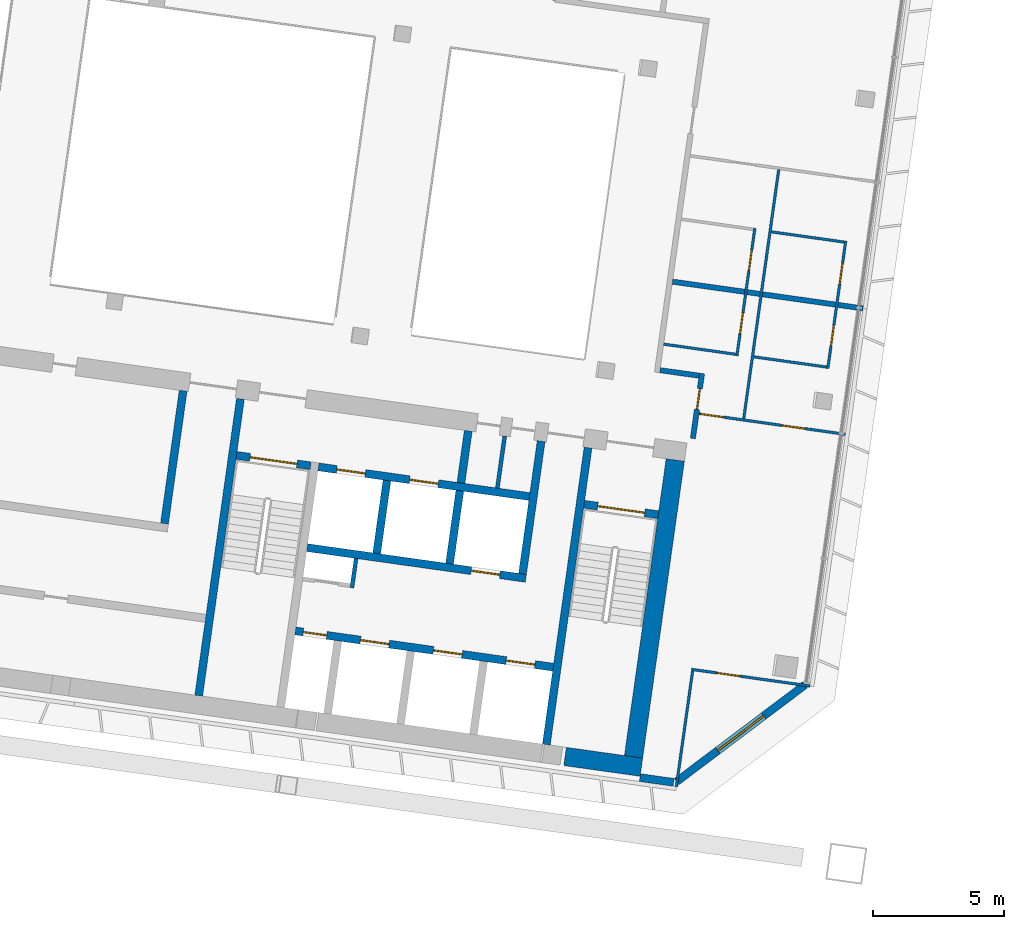
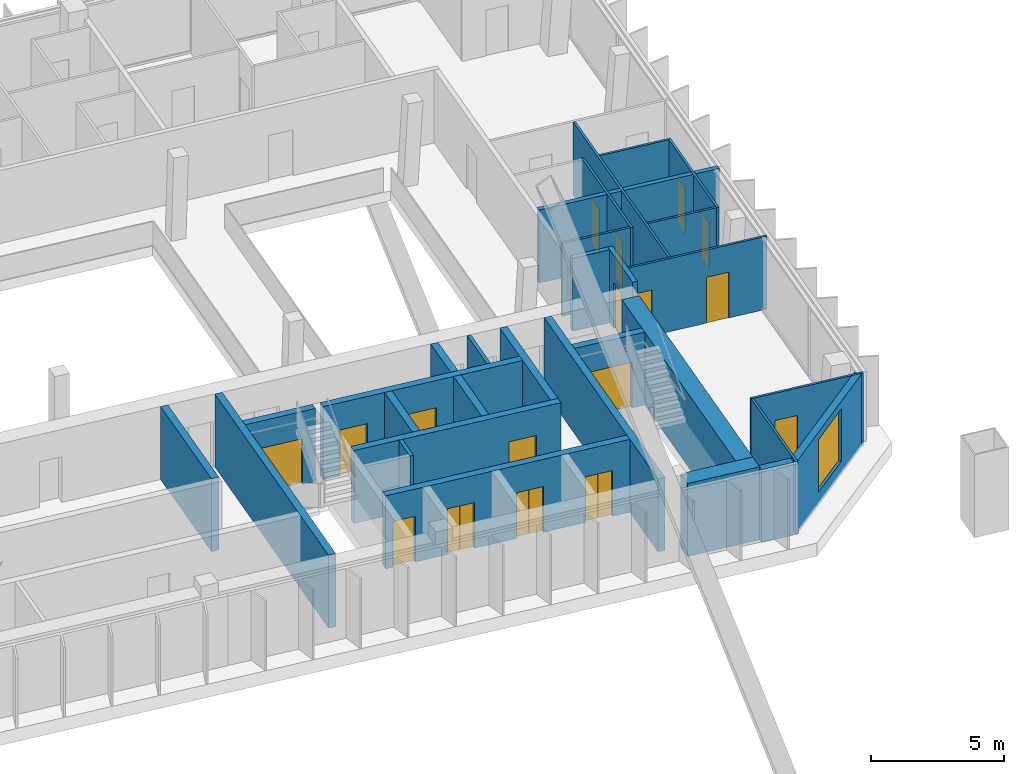
# One storey, part 25 of 38: 30 walls, 17 doors, 1 window, 18 openings.
"""IFC4 building model written with IfcOpenShell, lengths in metres."""

import ifcopenshell
import ifcopenshell.guid

model = None  # the IFC model being written
_history = None  # IfcOwnerHistory: only IFC2X3 demands one
_inside = {}  # id of a spatial element -> (the spatial element, [elements in it])
_under = {}  # id of a project, library or spatial element -> (it, [spatial elements below it])
_declared = {}  # id of a project -> (the project, [libraries it declares])
_typed = {}  # id of a type object -> (the type object, [elements of that type])
_made_of = {}  # id of a material, layer set ... -> (it, [elements and type objects made of it])


def new_model(schema):
    """Start an empty IFC model of exactly this schema.

    Asked for "IFC4X3", IfcOpenShell would pick the latest addendum, in which some entities
    have other attributes; the version numbers below select the first issue.
    IFC2X3 requires an IfcOwnerHistory on every rooted entity: one is made here for all.
    """
    global model, _history
    if schema == "IFC4X3":
        model = ifcopenshell.file(schema_version=(4, 3, 0, 0))
    else:
        model = ifcopenshell.file(schema=schema)
    _inside.clear()
    _under.clear()
    _declared.clear()
    _typed.clear()
    _made_of.clear()
    _history = None
    if model.schema == "IFC2X3":
        org = make("IfcOrganization", Name="unknown")
        user = make(
            "IfcPersonAndOrganization",
            ThePerson=make("IfcPerson", FamilyName="unknown"),
            TheOrganization=org,
        )
        app = make(
            "IfcApplication",
            ApplicationDeveloper=org,
            Version="unknown",
            ApplicationFullName="unknown",
            ApplicationIdentifier="unknown",
        )
        _history = make(
            "IfcOwnerHistory",
            OwningUser=user,
            OwningApplication=app,
            ChangeAction="ADDED",
            CreationDate=0,
        )
    return model


def make(cls, **values):
    """One entity of the class cls with the attributes given. An attribute that is None is left unset."""
    return model.create_entity(
        cls, **{name: value for name, value in values.items() if value is not None}
    )


def rooted(cls, **values):
    """An entity with a GlobalId (a new one), such as an element, a storey or a relation."""
    return make(cls, GlobalId=ifcopenshell.guid.new(), OwnerHistory=_history, **values)


def si_unit(unit_type, name, prefix=None):
    """IfcSIUnit, for example si_unit("LENGTHUNIT", "METRE", prefix="MILLI")."""
    return make("IfcSIUnit", UnitType=unit_type, Prefix=prefix, Name=name)


def assignment(units):
    """IfcUnitAssignment: the units of a project."""
    return None if units is None else make("IfcUnitAssignment", Units=units)


def point(xyz):
    """IfcCartesianPoint."""
    return None if xyz is None else make("IfcCartesianPoint", Coordinates=xyz)


def direction(xyz):
    """IfcDirection."""
    return None if xyz is None else make("IfcDirection", DirectionRatios=xyz)


def frame(location, z_axis=None, x_axis=None):
    """IfcAxis2Placement3D, a coordinate frame: its origin and axes. An axis left out is left unset."""
    return make(
        "IfcAxis2Placement3D",
        Location=point(location),
        Axis=direction(z_axis),
        RefDirection=direction(x_axis),
    )


def frame_2d(location, x_axis=None):
    """IfcAxis2Placement2D, a coordinate frame in the plane: its origin and x axis."""
    return make(
        "IfcAxis2Placement2D", Location=point(location), RefDirection=direction(x_axis)
    )


def origin():
    """The frame at (0, 0, 0) with its axes left unset."""
    return frame((0.0, 0.0, 0.0))


def place(relative_to, where):
    """IfcLocalPlacement: puts the frame where relative to a parent placement (None: the world)."""
    return make(
        "IfcLocalPlacement", PlacementRelTo=relative_to, RelativePlacement=where
    )


def context(
    kind, dimensions, precision=None, world=None, true_north=None, identifier=None
):
    """IfcGeometricRepresentationContext, for example the 3D "Model" context."""
    return make(
        "IfcGeometricRepresentationContext",
        ContextIdentifier=identifier,
        ContextType=kind,
        CoordinateSpaceDimension=dimensions,
        Precision=precision,
        WorldCoordinateSystem=world,
        TrueNorth=true_north,
    )


def subcontext(parent, identifier, kind, view, scale=None):
    """IfcGeometricRepresentationSubContext, for example "Body" below "Model"."""
    return make(
        "IfcGeometricRepresentationSubContext",
        ContextIdentifier=identifier,
        ContextType=kind,
        ParentContext=parent,
        TargetScale=scale,
        TargetView=view,
    )


def project(units=None, contexts=None):
    """IfcProject with its units and contexts."""
    return rooted(
        "IfcProject",
        Name="project",
        RepresentationContexts=contexts,
        UnitsInContext=assignment(units),
    )


def spatial(cls, under=None, at=None, **own):
    """A site, building, storey or space (cls), placed at a placement, below another one or the project."""
    s = rooted(cls, ObjectPlacement=at, **own)
    if under is not None:
        _under.setdefault(under.id(), (under, []))[1].append(s)
    return s


def profile(cls, at=None, kind="AREA", **sizes):
    """A parametric profile (cls). Its sizes go by their IFC names, for example OverallWidth=200.0."""
    return make(cls, ProfileType=kind, Position=at, **sizes)


def rectangle(**sizes):
    """IfcRectangleProfileDef."""
    return profile("IfcRectangleProfileDef", **sizes)


def extrude(swept, where, along, depth):
    """IfcExtrudedAreaSolid: the profile swept, set in the frame where, extruded along a direction by depth."""
    return make(
        "IfcExtrudedAreaSolid",
        SweptArea=swept,
        Position=where,
        ExtrudedDirection=direction(along),
        Depth=depth,
    )


def shape(context_of_items, identifier, shape_type, items):
    """IfcShapeRepresentation: the items that make up one representation, for example the "Body"."""
    return make(
        "IfcShapeRepresentation",
        ContextOfItems=context_of_items,
        RepresentationIdentifier=identifier,
        RepresentationType=shape_type,
        Items=items,
    )


def material(Name=None, Category=None):
    """IfcMaterial."""
    return make("IfcMaterial", Name=Name, Category=Category)


def layer(
    of_material, thickness, ventilated=None, Name=None, Category=None, Priority=None
):
    """IfcMaterialLayer: one layer of a wall or slab, of a material (None: an air gap)."""
    return make(
        "IfcMaterialLayer",
        Material=of_material,
        LayerThickness=thickness,
        IsVentilated=ventilated,
        Name=Name,
        Category=Category,
        Priority=Priority,
    )


def layer_set(layers, Name=None):
    """IfcMaterialLayerSet."""
    return make("IfcMaterialLayerSet", MaterialLayers=layers, LayerSetName=Name)


def made_of(thing, what):
    """Note that an element or type object is made of a material, layer set ...; save() writes the relation."""
    if what is not None:
        _made_of.setdefault(what.id(), (what, []))[1].append(thing)
    return thing


def type_object(cls, material=None, **own):
    """A type object (cls), such as IfcWallType, which elements share."""
    return made_of(rooted(cls, **own), material)


def element(
    cls,
    number,
    at=None,
    inside=None,
    cuts=None,
    type_object=None,
    material=None,
    context=None,
    identifier="Body",
    shape_type=None,
    held_by="IfcProductDefinitionShape",
    body=None,
    shapes=None,
    **own,
):
    """One element of the class cls, such as IfcWall. Its Tag is "e" and its number.

    at: its placement. inside: the storey or other place that contains it. cuts: it is an
    opening in that element (IfcRelVoidsElement). A single representation is given by context,
    identifier, shape_type and body (its items); several are given by shapes. held_by: the class
    of the entity that holds the representations. save() writes the other relations.
    """
    e = rooted(cls, Tag="e%d" % number, ObjectPlacement=at, **own)
    if body is not None:
        shapes = [shape(context, identifier, shape_type, body)]
    if shapes is not None:
        e.Representation = make(held_by, Representations=shapes)
    if inside is not None:
        _inside.setdefault(inside.id(), (inside, []))[1].append(e)
    if cuts is not None:
        rooted(
            "IfcRelVoidsElement", RelatingBuildingElement=cuts, RelatedOpeningElement=e
        )
    if type_object is not None:
        _typed.setdefault(type_object.id(), (type_object, []))[1].append(e)
    return made_of(e, material)


def fill(opening, filler):
    """IfcRelFillsElement: the door or window that sits in an opening."""
    return rooted(
        "IfcRelFillsElement",
        RelatingOpeningElement=opening,
        RelatedBuildingElement=filler,
    )


def aggregate(whole, parts):
    """IfcRelAggregates: a whole, such as a stair, and the parts it consists of."""
    return rooted("IfcRelAggregates", RelatingObject=whole, RelatedObjects=parts)


def save(model, path):
    """Write the relations noted so far, then the file.

    IfcRelAggregates (storeys below a building ...), IfcRelContainedInSpatialStructure (elements
    in a storey), IfcRelDefinesByType, IfcRelAssociatesMaterial and IfcRelDeclares: one each for
    every whole, place, type object, material and project.
    """
    for whole, parts in _under.values():
        aggregate(whole, parts)
    for where, things in _inside.values():
        rooted(
            "IfcRelContainedInSpatialStructure",
            RelatedElements=things,
            RelatingStructure=where,
        )
    for kind, things in _typed.values():
        rooted("IfcRelDefinesByType", RelatedObjects=things, RelatingType=kind)
    for what, things in _made_of.values():
        rooted("IfcRelAssociatesMaterial", RelatedObjects=things, RelatingMaterial=what)
    for by, libraries in _declared.values():
        rooted("IfcRelDeclares", RelatingContext=by, RelatedDefinitions=libraries)
    model.write(path)


model = new_model("IFC4")

# Units and contexts
model_context = context("Model", 3, precision=1e-05, world=origin(), true_north=direction((0.0, 1.0)))
body_context = subcontext(model_context, "Body", "Model", "MODEL_VIEW")
ifc_project = project(units=[si_unit("LENGTHUNIT", "METRE"), si_unit("AREAUNIT", "SQUARE_METRE"), si_unit("VOLUMEUNIT", "CUBIC_METRE"), si_unit("PLANEANGLEUNIT", "RADIAN"), si_unit("MASSUNIT", "GRAM", prefix="KILO")], contexts=[model_context])

# Site, building, storey
site_placement = place(None, origin())
site = spatial("IfcSite", under=ifc_project, at=site_placement, CompositionType="ELEMENT")
building_placement = place(site_placement, origin())
building = spatial("IfcBuilding", under=site, at=building_placement, Name="Mirante Cascada Hotel Towers", CompositionType="ELEMENT")
storey_placement = place(building_placement, frame((0.0, 0.0, 184.0)))
storey = spatial("IfcBuildingStorey", under=building, at=storey_placement, Name="L43", CompositionType="ELEMENT", Elevation=184.0)

# Walls
ifc_material_1 = material(Name="Fire-rated plasterboard on metal studs")
ifc_layer_1 = layer(ifc_material_1, 0.2)
ifc_layer_set_1 = layer_set([ifc_layer_1], Name="Compartment wall 200 EI 120")
wall_type_1 = type_object("IfcWallType", Name="Compartment wall 200 EI 120", PredefinedType="PARTITIONING", material=ifc_layer_set_1)
wall_1_placement = place(storey_placement, frame((-36.5138, -4.518, 0.0), z_axis=(0.0, 0.0, 1.0), x_axis=(0.9902735, -0.1391343, 0.0)))
element("IfcWall", 1, at=wall_1_placement, inside=storey, type_object=wall_type_1, Name="Wall 1-L43-03", PredefinedType="PARTITIONING", context=body_context, shape_type="SweptSolid", body=[
    extrude(rectangle(XDim=1.5, YDim=0.2, at=frame_2d((0.75, 0.0))), origin(), (0.0, 0.0, 1.0), 3.35),
])
wall_2_placement = place(storey_placement, frame((-36.0406, -1.151, 0.0), z_axis=(0.0, 0.0, 1.0), x_axis=(0.990268, -0.1391738, 0.0)))
element("IfcWall", 2, at=wall_2_placement, inside=storey, type_object=wall_type_1, Name="Wall 1-L43-07", PredefinedType="PARTITIONING", context=body_context, shape_type="SweptSolid", body=[
    extrude(rectangle(XDim=7.3203, YDim=0.2, at=frame_2d((3.6602, 0.0))), origin(), (0.0, 0.0, 1.0), 3.35),
])

# Wall, opening, door
wall_3_placement = place(storey_placement, frame((-34.9155, -4.6416, 0.0), z_axis=(0.0, 0.0, 1.0), x_axis=(-0.1391586, -0.9902701, 0.0)))
wall_3 = element("IfcWall", 3, at=wall_3_placement, inside=storey, type_object=wall_type_1, Name="Wall 1-L43-33", PredefinedType="PARTITIONING", context=body_context, shape_type="SweptSolid", body=[
    extrude(rectangle(XDim=2.5, YDim=0.2, at=frame_2d((1.25, 0.0))), origin(), (0.0, 0.0, 1.0), 3.35),
])
opening_1_placement = place(wall_3_placement, frame((0.5833, 0.0, 0.0)))
opening_1 = element("IfcOpeningElement", 4, at=opening_1_placement, cuts=wall_3, Name="Opening D1-L43-26", PredefinedType="OPENING", context=body_context, shape_type="SweptSolid", body=[
    extrude(rectangle(XDim=0.8, YDim=2.1, at=frame_2d((0.4, 1.05))), frame((0.0, 0.1, 0.0), z_axis=(0.0, -1.0, 0.0), x_axis=(1.0, 0.0, 0.0)), (0.0, 0.0, 1.0), 0.2),
])
ifc_material_2 = material(Name="Fire-rated timber door leaf", Category="wood")
door_type_1 = type_object("IfcDoorType", Name="Bathroom door DG4 800x2100 EI 60", OperationType="SINGLE_SWING_LEFT", PredefinedType="DOOR", material=ifc_material_2)
door_1_placement = place(opening_1_placement, frame((0.8, 0.0, 0.0), z_axis=(0.0, 0.0, 1.0), x_axis=(-1.0, 0.0, 0.0)))
door_1 = element("IfcDoor", 5, at=door_1_placement, inside=storey, type_object=door_type_1, Name="Door D1-L43-26", OperationType="SINGLE_SWING_RIGHT", OverallHeight=2.1, OverallWidth=0.8, PredefinedType="DOOR", context=body_context, shape_type="SweptSolid", body=[
    extrude(rectangle(XDim=0.8, YDim=2.1, at=frame_2d((0.4, 1.05))), frame((0.0, 0.025, 0.0), z_axis=(0.0, -1.0, 0.0), x_axis=(1.0, 0.0, 0.0)), (0.0, 0.0, 1.0), 0.05),
])
fill(opening_1, door_1)

# Walls
ifc_material_3 = material(Name="Masonry block", Category="masonry")
ifc_layer_2 = layer(ifc_material_3, 0.15)
ifc_layer_set_2 = layer_set([ifc_layer_2], Name="Core room partition 150 block EI 30")
wall_type_2 = type_object("IfcWallType", Name="Core room partition 150 block EI 30", PredefinedType="PARTITIONING", material=ifc_layer_set_2)
wall_4_placement = place(storey_placement, frame((-48.2295, -12.793, 0.0), z_axis=(0.0, 0.0, 1.0), x_axis=(0.1391935, 0.9902652, 0.0)))
element("IfcWall", 6, at=wall_4_placement, inside=storey, type_object=wall_type_2, Name="Core wall partition T1 L43 2", PredefinedType="PARTITIONING", context=body_context, shape_type="SweptSolid", body=[
    extrude(rectangle(XDim=1.1251, YDim=0.15, at=frame_2d((0.5626, 0.0))), origin(), (0.0, 0.0, 1.0), 3.35),
])
wall_5_placement = place(storey_placement, frame((-42.6979, -9.0009, 0.0), z_axis=(0.0, 0.0, 1.0), x_axis=(0.1391529, 0.9902709, 0.0)))
element("IfcWall", 7, at=wall_5_placement, inside=storey, type_object=wall_type_2, Name="Core wall partition T1 L43 4", PredefinedType="PARTITIONING", context=body_context, shape_type="SweptSolid", body=[
    extrude(rectangle(XDim=2.0, YDim=0.15, at=frame_2d((1.0, 0.0))), origin(), (0.0, 0.0, 1.0), 3.35),
])
ifc_material_4 = material(Name="Masonry block", Category="masonry")
ifc_layer_3 = layer(ifc_material_4, 0.3)
ifc_layer_set_3 = layer_set([ifc_layer_3], Name="Core wall 300 block EI 120")
wall_type_3 = type_object("IfcWallType", Name="Core wall 300 block EI 120", PredefinedType="PARTITIONING", material=ifc_layer_set_3)
wall_6_placement = place(storey_placement, frame((-44.0843, -8.8061, 0.0), z_axis=(0.0, 0.0, 1.0), x_axis=(0.1391951, 0.990265, 0.0)))
element("IfcWall", 8, at=wall_6_placement, inside=storey, type_object=wall_type_3, Name="Core wall partition T1 L43 1", PredefinedType="PARTITIONING", context=body_context, shape_type="SweptSolid", body=[
    extrude(rectangle(XDim=2.0001, YDim=0.3, at=frame_2d((1.0001, 0.0))), origin(), (0.0, 0.0, 1.0), 3.35),
])

# Wall, opening, door
ifc_material_5 = material(Name="Plasterboard on metal studs")
ifc_layer_4 = layer(ifc_material_5, 0.1)
ifc_layer_set_4 = layer_set([ifc_layer_4], Name="Partition 100")
wall_type_4 = type_object("IfcWallType", Name="Partition 100", PredefinedType="PARTITIONING", material=ifc_layer_set_4)
wall_7_placement = place(storey_placement, frame((-35.3152, -15.8955, 0.0), z_axis=(0.0, 0.0, 1.0), x_axis=(0.9902691, -0.1391656, 0.0)))
wall_7 = element("IfcWall", 9, at=wall_7_placement, inside=storey, type_object=wall_type_4, Name="Wall 1-L43-01", PredefinedType="PARTITIONING", context=body_context, shape_type="SweptSolid", body=[
    extrude(rectangle(XDim=4.55, YDim=0.1, at=frame_2d((2.275, 0.0))), origin(), (0.0, 0.0, 1.0), 3.35),
])
opening_2_placement = place(wall_7_placement, frame((0.9718, 0.0, 0.0)))
opening_2 = element("IfcOpeningElement", 10, at=opening_2_placement, cuts=wall_7, Name="Opening D1-L43-01", PredefinedType="OPENING", context=body_context, shape_type="SweptSolid", body=[
    extrude(rectangle(XDim=0.9, YDim=2.1, at=frame_2d((0.45, 1.05))), frame((0.0, 0.05, 0.0), z_axis=(0.0, -1.0, 0.0), x_axis=(1.0, 0.0, 0.0)), (0.0, 0.0, 1.0), 0.1),
])
ifc_material_6 = material(Name="Timber door leaf", Category="wood")
door_type_2 = type_object("IfcDoorType", Name="Room door DG3 900x2100", OperationType="SINGLE_SWING_LEFT", PredefinedType="DOOR", material=ifc_material_6)
door_2_placement = place(opening_2_placement, origin())
door_2 = element("IfcDoor", 11, at=door_2_placement, inside=storey, type_object=door_type_2, Name="Door D1-L43-01", OperationType="SINGLE_SWING_LEFT", OverallHeight=2.1, OverallWidth=0.9, PredefinedType="DOOR", context=body_context, shape_type="SweptSolid", body=[
    extrude(rectangle(XDim=0.9, YDim=2.1, at=frame_2d((0.45, 1.05))), frame((0.0, 0.025, 0.0), z_axis=(0.0, -1.0, 0.0), x_axis=(1.0, 0.0, 0.0)), (0.0, 0.0, 1.0), 0.05),
])
fill(opening_2, door_2)

# Wall, openings, doors
wall_8_placement = place(storey_placement, frame((-29.4641, -6.9561, 0.0), z_axis=(0.0, 0.0, 1.0), x_axis=(-0.9902683, 0.1391717, 0.0)))
wall_8 = element("IfcWall", 12, at=wall_8_placement, inside=storey, type_object=wall_type_4, Name="Wall 1-L43-02", PredefinedType="PARTITIONING", context=body_context, shape_type="SweptSolid", body=[
    extrude(rectangle(XDim=5.6204, YDim=0.1, at=frame_2d((2.8102, 0.0))), origin(), (0.0, 0.0, 1.0), 3.35),
])
opening_3_placement = place(wall_8_placement, frame((1.55, 0.0, 0.0)))
opening_3 = element("IfcOpeningElement", 13, at=opening_3_placement, cuts=wall_8, Name="Opening D1-L43-02", PredefinedType="OPENING", context=body_context, shape_type="SweptSolid", body=[
    extrude(rectangle(XDim=0.9, YDim=2.1, at=frame_2d((0.45, 1.05))), frame((0.0, 0.05, 0.0), z_axis=(0.0, -1.0, 0.0), x_axis=(1.0, 0.0, 0.0)), (0.0, 0.0, 1.0), 0.1),
])
opening_4_placement = place(wall_8_placement, frame((4.6704, 0.0, 0.0)))
opening_4 = element("IfcOpeningElement", 14, at=opening_4_placement, cuts=wall_8, Name="Opening D1-L43-03", PredefinedType="OPENING", context=body_context, shape_type="SweptSolid", body=[
    extrude(rectangle(XDim=0.9, YDim=2.1, at=frame_2d((0.45, 1.05))), frame((0.0, 0.05, 0.0), z_axis=(0.0, -1.0, 0.0), x_axis=(1.0, 0.0, 0.0)), (0.0, 0.0, 1.0), 0.1),
])
door_3_placement = place(opening_3_placement, origin())
door_3 = element("IfcDoor", 15, at=door_3_placement, inside=storey, type_object=door_type_2, Name="Door D1-L43-02", OperationType="SINGLE_SWING_LEFT", OverallHeight=2.1, OverallWidth=0.9, PredefinedType="DOOR", context=body_context, shape_type="SweptSolid", body=[
    extrude(rectangle(XDim=0.9, YDim=2.1, at=frame_2d((0.45, 1.05))), frame((0.0, 0.025, 0.0), z_axis=(0.0, -1.0, 0.0), x_axis=(1.0, 0.0, 0.0)), (0.0, 0.0, 1.0), 0.05),
])
fill(opening_3, door_3)
door_4_placement = place(opening_4_placement, origin())
door_4 = element("IfcDoor", 16, at=door_4_placement, inside=storey, type_object=door_type_2, Name="Door D1-L43-03", OperationType="SINGLE_SWING_LEFT", OverallHeight=2.1, OverallWidth=0.9, PredefinedType="DOOR", context=body_context, shape_type="SweptSolid", body=[
    extrude(rectangle(XDim=0.9, YDim=2.1, at=frame_2d((0.45, 1.05))), frame((0.0, 0.025, 0.0), z_axis=(0.0, -1.0, 0.0), x_axis=(1.0, 0.0, 0.0)), (0.0, 0.0, 1.0), 0.05),
])
fill(opening_4, door_4)

# Walls
wall_9_placement = place(storey_placement, frame((-32.9481, -4.0093, 0.0), z_axis=(0.0, 0.0, 1.0), x_axis=(0.9902719, -0.1391459, 0.0)))
element("IfcWall", 17, at=wall_9_placement, inside=storey, type_object=wall_type_4, Name="Wall 1-L43-05", PredefinedType="PARTITIONING", context=body_context, shape_type="SweptSolid", body=[
    extrude(rectangle(XDim=2.7999, YDim=0.1, at=frame_2d((1.4, 0.0))), origin(), (0.0, 0.0, 1.0), 3.35),
])
wall_10_placement = place(storey_placement, frame((-33.6312, -3.9133, 0.0), z_axis=(0.0, 0.0, 1.0), x_axis=(-0.9902668, 0.1391824, 0.0)))
element("IfcWall", 18, at=wall_10_placement, inside=storey, type_object=wall_type_4, Name="Wall 1-L43-06", PredefinedType="PARTITIONING", context=body_context, shape_type="SweptSolid", body=[
    extrude(rectangle(XDim=2.7705, YDim=0.1, at=frame_2d((1.3853, 0.0))), origin(), (0.0, 0.0, 1.0), 3.35),
])
wall_11_placement = place(storey_placement, frame((-32.2801, 0.744, 0.0), z_axis=(0.0, 0.0, 1.0), x_axis=(0.9902677, -0.139176, 0.0)))
element("IfcWall", 19, at=wall_11_placement, inside=storey, type_object=wall_type_4, Name="Wall 1-L43-09", PredefinedType="PARTITIONING", context=body_context, shape_type="SweptSolid", body=[
    extrude(rectangle(XDim=2.8001, YDim=0.1, at=frame_2d((1.4, 0.0))), origin(), (0.0, 0.0, 1.0), 3.35),
])

# Wall, openings, doors
wall_12_placement = place(storey_placement, frame((-30.1328, -4.4554, 0.0), z_axis=(0.0, 0.0, 1.0), x_axis=(0.1391638, 0.9902694, 0.0)))
wall_12 = element("IfcWall", 20, at=wall_12_placement, inside=storey, type_object=wall_type_4, Name="Wall 1-L43-28", PredefinedType="PARTITIONING", context=body_context, shape_type="SweptSolid", body=[
    extrude(rectangle(XDim=4.9, YDim=0.1, at=frame_2d((2.45, 0.0))), origin(), (0.0, 0.0, 1.0), 3.35),
])
opening_5_placement = place(wall_12_placement, frame((0.85, 0.0, 0.0)))
opening_5 = element("IfcOpeningElement", 21, at=opening_5_placement, cuts=wall_12, Name="Opening D1-L43-22", PredefinedType="OPENING", context=body_context, shape_type="SweptSolid", body=[
    extrude(rectangle(XDim=0.8, YDim=2.1, at=frame_2d((0.4, 1.05))), frame((0.0, 0.05, 0.0), z_axis=(0.0, -1.0, 0.0), x_axis=(1.0, 0.0, 0.0)), (0.0, 0.0, 1.0), 0.1),
])
opening_6_placement = place(wall_12_placement, frame((3.25, 0.0, 0.0)))
opening_6 = element("IfcOpeningElement", 22, at=opening_6_placement, cuts=wall_12, Name="Opening D1-L43-23", PredefinedType="OPENING", context=body_context, shape_type="SweptSolid", body=[
    extrude(rectangle(XDim=0.8, YDim=2.1, at=frame_2d((0.4, 1.05))), frame((0.0, 0.05, 0.0), z_axis=(0.0, -1.0, 0.0), x_axis=(1.0, 0.0, 0.0)), (0.0, 0.0, 1.0), 0.1),
])
ifc_material_7 = material(Name="Timber door leaf", Category="wood")
door_type_3 = type_object("IfcDoorType", Name="Bathroom door DG4 800x2100", OperationType="SINGLE_SWING_LEFT", PredefinedType="DOOR", material=ifc_material_7)
door_5_placement = place(opening_5_placement, origin())
door_5 = element("IfcDoor", 23, at=door_5_placement, inside=storey, type_object=door_type_3, Name="Door D1-L43-22", OperationType="SINGLE_SWING_LEFT", OverallHeight=2.1, OverallWidth=0.8, PredefinedType="DOOR", context=body_context, shape_type="SweptSolid", body=[
    extrude(rectangle(XDim=0.8, YDim=2.1, at=frame_2d((0.4, 1.05))), frame((0.0, 0.025, 0.0), z_axis=(0.0, -1.0, 0.0), x_axis=(1.0, 0.0, 0.0)), (0.0, 0.0, 1.0), 0.05),
])
fill(opening_5, door_5)
door_6_placement = place(opening_6_placement, origin())
door_6 = element("IfcDoor", 24, at=door_6_placement, inside=storey, type_object=door_type_3, Name="Door D1-L43-23", OperationType="SINGLE_SWING_LEFT", OverallHeight=2.1, OverallWidth=0.8, PredefinedType="DOOR", context=body_context, shape_type="SweptSolid", body=[
    extrude(rectangle(XDim=0.8, YDim=2.1, at=frame_2d((0.4, 1.05))), frame((0.0, 0.025, 0.0), z_axis=(0.0, -1.0, 0.0), x_axis=(1.0, 0.0, 0.0)), (0.0, 0.0, 1.0), 0.05),
])
fill(opening_6, door_6)

# Walls
wall_13_placement = place(storey_placement, frame((-31.9979, 3.1111, 0.0), z_axis=(0.0, 0.0, 1.0), x_axis=(-0.1391717, -0.9902683, 0.0)))
element("IfcWall", 25, at=wall_13_placement, inside=storey, type_object=wall_type_4, Name="Wall 1-L43-29", PredefinedType="PARTITIONING", context=body_context, shape_type="SweptSolid", body=[
    extrude(rectangle(XDim=9.5666, YDim=0.1, at=frame_2d((4.7833, 0.0))), origin(), (0.0, 0.0, 1.0), 3.35),
])
wall_14_placement = place(storey_placement, frame((-35.892, -20.3587, 0.0), z_axis=(0.0, 0.0, 1.0), x_axis=(0.1391684, 0.9902687, 0.0)))
element("IfcWall", 26, at=wall_14_placement, inside=storey, type_object=wall_type_4, Name="Wall 1-L43-30", PredefinedType="PARTITIONING", context=body_context, shape_type="SweptSolid", body=[
    extrude(rectangle(XDim=4.45, YDim=0.1, at=frame_2d((2.225, 0.0))), origin(), (0.0, 0.0, 1.0), 3.35),
])

# Wall, openings, doors
wall_15_placement = place(storey_placement, frame((-32.9067, 0.8826, 0.0), z_axis=(0.0, 0.0, 1.0), x_axis=(-0.1391838, -0.9902666, 0.0)))
wall_15 = element("IfcWall", 27, at=wall_15_placement, inside=storey, type_object=wall_type_4, Name="Wall 1-L43-31", PredefinedType="PARTITIONING", context=body_context, shape_type="SweptSolid", body=[
    extrude(rectangle(XDim=4.9, YDim=0.1, at=frame_2d((2.45, 0.0))), origin(), (0.0, 0.0, 1.0), 3.35),
])
opening_7_placement = place(wall_15_placement, frame((3.25, 0.0, 0.0)))
opening_7 = element("IfcOpeningElement", 28, at=opening_7_placement, cuts=wall_15, Name="Opening D1-L43-24", PredefinedType="OPENING", context=body_context, shape_type="SweptSolid", body=[
    extrude(rectangle(XDim=0.8, YDim=2.1, at=frame_2d((0.4, 1.05))), frame((0.0, 0.05, 0.0), z_axis=(0.0, -1.0, 0.0), x_axis=(1.0, 0.0, 0.0)), (0.0, 0.0, 1.0), 0.1),
])
opening_8_placement = place(wall_15_placement, frame((0.85, 0.0, 0.0)))
opening_8 = element("IfcOpeningElement", 29, at=opening_8_placement, cuts=wall_15, Name="Opening D1-L43-25", PredefinedType="OPENING", context=body_context, shape_type="SweptSolid", body=[
    extrude(rectangle(XDim=0.8, YDim=2.1, at=frame_2d((0.4, 1.05))), frame((0.0, 0.05, 0.0), z_axis=(0.0, -1.0, 0.0), x_axis=(1.0, 0.0, 0.0)), (0.0, 0.0, 1.0), 0.1),
])
door_7_placement = place(opening_7_placement, frame((0.8, 0.0, 0.0), z_axis=(0.0, 0.0, 1.0), x_axis=(-1.0, 0.0, 0.0)))
door_7 = element("IfcDoor", 30, at=door_7_placement, inside=storey, type_object=door_type_3, Name="Door D1-L43-24", OperationType="SINGLE_SWING_RIGHT", OverallHeight=2.1, OverallWidth=0.8, PredefinedType="DOOR", context=body_context, shape_type="SweptSolid", body=[
    extrude(rectangle(XDim=0.8, YDim=2.1, at=frame_2d((0.4, 1.05))), frame((0.0, 0.025, 0.0), z_axis=(0.0, -1.0, 0.0), x_axis=(1.0, 0.0, 0.0)), (0.0, 0.0, 1.0), 0.05),
])
fill(opening_7, door_7)
door_8_placement = place(opening_8_placement, frame((0.8, 0.0, 0.0), z_axis=(0.0, 0.0, 1.0), x_axis=(-1.0, 0.0, 0.0)))
door_8 = element("IfcDoor", 31, at=door_8_placement, inside=storey, type_object=door_type_3, Name="Door D1-L43-25", OperationType="SINGLE_SWING_RIGHT", OverallHeight=2.1, OverallWidth=0.8, PredefinedType="DOOR", context=body_context, shape_type="SweptSolid", body=[
    extrude(rectangle(XDim=0.8, YDim=2.1, at=frame_2d((0.4, 1.05))), frame((0.0, 0.025, 0.0), z_axis=(0.0, -1.0, 0.0), x_axis=(1.0, 0.0, 0.0)), (0.0, 0.0, 1.0), 0.05),
])
fill(opening_8, door_8)

# Wall
ifc_material_8 = material(Name="Precast concrete C40/50", Category="concrete")
ifc_layer_5 = layer(ifc_material_8, 0.3)
ifc_layer_set_5 = layer_set([ifc_layer_5], Name="Precast concrete C40/50 cladding wall 300")
wall_type_5 = type_object("IfcWallType", Name="Precast concrete C40/50 cladding wall 300", PredefinedType="STANDARD", material=ifc_layer_set_5)
wall_16_placement = place(storey_placement, frame((-35.994, -20.1928, 0.0), z_axis=(0.0, 0.0, 1.0), x_axis=(-0.9902694, 0.1391638, 0.0)))
element("IfcWall", 32, at=wall_16_placement, inside=storey, type_object=wall_type_5, Name="Rear cladding wall T1 L43 1", PredefinedType="STANDARD", context=body_context, shape_type="SweptSolid", body=[
    extrude(rectangle(XDim=1.2963, YDim=0.3, at=frame_2d((0.6482, 0.0))), origin(), (0.0, 0.0, 1.0), 3.35),
])

# Wall, opening, window
wall_17_placement = place(storey_placement, frame((-30.9989, -16.4836, 0.0), z_axis=(0.0, 0.0, 1.0), x_axis=(-0.7986283, -0.6018245, 0.0)))
wall_17 = element("IfcWall", 33, at=wall_17_placement, inside=storey, type_object=wall_type_5, Name="Corner cladding wall T1 L43 inner rear", PredefinedType="STANDARD", context=body_context, shape_type="SweptSolid", body=[
    extrude(rectangle(XDim=6.1157, YDim=0.3, at=frame_2d((3.0578, 0.0))), origin(), (0.0, 0.0, 1.0), 3.35),
])
opening_9_placement = place(wall_17_placement, frame((1.9578, 0.0, 0.6)))
opening_9 = element("IfcOpeningElement", 34, at=opening_9_placement, cuts=wall_17, Name="Opening W1-43-04", PredefinedType="OPENING", context=body_context, shape_type="SweptSolid", body=[
    extrude(rectangle(XDim=2.2, YDim=2.4, at=frame_2d((1.1, 1.2))), frame((0.0, 0.15, 0.0), z_axis=(0.0, -1.0, 0.0), x_axis=(1.0, 0.0, 0.0)), (0.0, 0.0, 1.0), 0.3),
])
ifc_material_9 = material(Name="Aluminium frame with clear double glazing", Category="aluminium")
window_type = type_object("IfcWindowType", Name="Corner suite window 2200x2400", PartitioningType="DOUBLE_PANEL_VERTICAL", PredefinedType="WINDOW", material=ifc_material_9)
window_placement = place(opening_9_placement, origin())
window = element("IfcWindow", 35, at=window_placement, inside=storey, type_object=window_type, Name="Window W1-43-04", OverallHeight=2.4, OverallWidth=2.2, PartitioningType="SINGLE_PANEL", PredefinedType="WINDOW", context=body_context, shape_type="SweptSolid", body=[
    extrude(rectangle(XDim=2.2, YDim=2.4, at=frame_2d((1.1, 1.2))), frame((0.0, 0.03, 0.0), z_axis=(0.0, -1.0, 0.0), x_axis=(1.0, 0.0, 0.0)), (0.0, 0.0, 1.0), 0.06),
])
fill(opening_9, window)

# Walls
ifc_material_10 = material(Name="Concrete C50/60", Category="concrete")
ifc_layer_6 = layer(ifc_material_10, 0.3)
ifc_layer_set_6 = layer_set([ifc_layer_6], Name="RC core wall 300 C50/60")
wall_type_6 = type_object("IfcWallType", Name="RC core wall 300 C50/60", PredefinedType="SHEAR", material=ifc_layer_set_6)
wall_18_placement = place(storey_placement, frame((-40.8373, -18.7548, 0.0), z_axis=(0.0, 0.0, 1.0), x_axis=(0.1391749, 0.9902678, 0.0)))
element("IfcWall", 36, at=wall_18_placement, inside=storey, type_object=wall_type_6, Name="Core wall T1:L43:5", PredefinedType="SHEAR", context=body_context, shape_type="SweptSolid", body=[
    extrude(rectangle(XDim=11.4, YDim=0.3, at=frame_2d((5.7, 0.0))), origin(), (0.0, 0.0, 1.0), 3.35),
])
wall_19_placement = place(storey_placement, frame((-54.0574, -16.8968, 0.0), z_axis=(0.0, 0.0, 1.0), x_axis=(0.1391761, 0.9902677, 0.0)))
element("IfcWall", 37, at=wall_19_placement, inside=storey, type_object=wall_type_6, Name="Core wall T1:L43:7", PredefinedType="SHEAR", context=body_context, shape_type="SweptSolid", body=[
    extrude(rectangle(XDim=11.3999, YDim=0.3, at=frame_2d((5.7, 0.0))), origin(), (0.0, 0.0, 1.0), 3.35),
])

# Wall, opening, door
wall_20_placement = place(storey_placement, frame((-36.5791, -10.0123, 0.0), z_axis=(0.0, 0.0, 1.0), x_axis=(-0.9902704, 0.1391564, 0.0)))
wall_20 = element("IfcWall", 38, at=wall_20_placement, inside=storey, type_object=wall_type_6, Name="Core wall T1:L43:8", PredefinedType="SHEAR", context=body_context, shape_type="SweptSolid", body=[
    extrude(rectangle(XDim=2.85, YDim=0.3, at=frame_2d((1.425, 0.0))), origin(), (0.0, 0.0, 1.0), 3.35),
])
opening_10_placement = place(wall_20_placement, frame((0.525, 0.0, 0.0)))
opening_10 = element("IfcOpeningElement", 39, at=opening_10_placement, cuts=wall_20, Name="Opening D1-43-C07", PredefinedType="OPENING", context=body_context, shape_type="SweptSolid", body=[
    extrude(rectangle(XDim=1.8, YDim=2.1, at=frame_2d((0.9, 1.05))), frame((0.0, 0.15, 0.0), z_axis=(0.0, -1.0, 0.0), x_axis=(1.0, 0.0, 0.0)), (0.0, 0.0, 1.0), 0.3),
])
ifc_material_11 = material(Name="Hollow metal fire door leaf")
door_type_4 = type_object("IfcDoorType", Name="Double fire door 1800x2100 FD60", OperationType="DOUBLE_DOOR_SINGLE_SWING", PredefinedType="DOOR", material=ifc_material_11)
door_9_placement = place(opening_10_placement, origin())
door_9 = element("IfcDoor", 40, at=door_9_placement, inside=storey, type_object=door_type_4, Name="Stair door T1 L43 7", OperationType="DOUBLE_DOOR_SINGLE_SWING", OverallHeight=2.1, OverallWidth=1.8, PredefinedType="DOOR", context=body_context, shape_type="SweptSolid", body=[
    extrude(rectangle(XDim=0.895, YDim=2.1, at=frame_2d((0.4475, 1.05))), frame((0.0, 0.025, 0.0), z_axis=(0.0, -1.0, 0.0), x_axis=(1.0, 0.0, 0.0)), (0.0, 0.0, 1.0), 0.05),
    extrude(rectangle(XDim=0.895, YDim=2.1, at=frame_2d((1.3525, 1.05))), frame((0.0, 0.025, 0.0), z_axis=(0.0, -1.0, 0.0), x_axis=(1.0, 0.0, 0.0)), (0.0, 0.0, 1.0), 0.05),
])
fill(opening_10, door_9)

wall_21_placement = place(storey_placement, frame((-49.7992, -8.1544, 0.0), z_axis=(0.0, 0.0, 1.0), x_axis=(-0.9902656, 0.1391909, 0.0)))
wall_21 = element("IfcWall", 41, at=wall_21_placement, inside=storey, type_object=wall_type_6, Name="Core wall T1:L43:9", PredefinedType="SHEAR", context=body_context, shape_type="SweptSolid", body=[
    extrude(rectangle(XDim=2.85, YDim=0.3, at=frame_2d((1.425, 0.0))), origin(), (0.0, 0.0, 1.0), 3.35),
])
opening_11_placement = place(wall_21_placement, frame((0.525, 0.0, 0.0)))
opening_11 = element("IfcOpeningElement", 42, at=opening_11_placement, cuts=wall_21, Name="Opening D1-43-C09", PredefinedType="OPENING", context=body_context, shape_type="SweptSolid", body=[
    extrude(rectangle(XDim=1.8, YDim=2.1, at=frame_2d((0.9, 1.05))), frame((0.0, 0.15, 0.0), z_axis=(0.0, -1.0, 0.0), x_axis=(1.0, 0.0, 0.0)), (0.0, 0.0, 1.0), 0.3),
])
door_10_placement = place(opening_11_placement, origin())
door_10 = element("IfcDoor", 43, at=door_10_placement, inside=storey, type_object=door_type_4, Name="Stair door T1 L43 9", OperationType="DOUBLE_DOOR_SINGLE_SWING", OverallHeight=2.1, OverallWidth=1.8, PredefinedType="DOOR", context=body_context, shape_type="SweptSolid", body=[
    extrude(rectangle(XDim=0.895, YDim=2.1, at=frame_2d((0.4475, 1.05))), frame((0.0, 0.025, 0.0), z_axis=(0.0, -1.0, 0.0), x_axis=(1.0, 0.0, 0.0)), (0.0, 0.0, 1.0), 0.05),
    extrude(rectangle(XDim=0.895, YDim=2.1, at=frame_2d((1.3525, 1.05))), frame((0.0, 0.025, 0.0), z_axis=(0.0, -1.0, 0.0), x_axis=(1.0, 0.0, 0.0)), (0.0, 0.0, 1.0), 0.05),
])
fill(opening_11, door_10)

# Wall, openings, doors
wall_22_placement = place(storey_placement, frame((-40.5753, -15.8126, 0.0), z_axis=(0.0, 0.0, 1.0), x_axis=(-0.9902682, 0.1391725, 0.0)))
wall_22 = element("IfcWall", 44, at=wall_22_placement, inside=storey, type_object=wall_type_6, Name="Core wall T1:L43:10", PredefinedType="SHEAR", context=body_context, shape_type="SweptSolid", body=[
    extrude(rectangle(XDim=9.8999, YDim=0.3, at=frame_2d((4.95, 0.0))), origin(), (0.0, 0.0, 1.0), 3.35),
])
opening_12_placement = place(wall_22_placement, frame((0.7, 0.0, 0.0)))
opening_12 = element("IfcOpeningElement", 45, at=opening_12_placement, cuts=wall_22, Name="Opening LD", PredefinedType="OPENING", context=body_context, shape_type="SweptSolid", body=[
    extrude(rectangle(XDim=1.1, YDim=2.1, at=frame_2d((0.55, 1.05))), frame((0.0, 0.15, 0.0), z_axis=(0.0, -1.0, 0.0), x_axis=(1.0, 0.0, 0.0)), (0.0, 0.0, 1.0), 0.3),
])
opening_13_placement = place(wall_22_placement, frame((3.5, 0.0, 0.0)))
opening_13 = element("IfcOpeningElement", 46, at=opening_13_placement, cuts=wall_22, Name="Opening LD", PredefinedType="OPENING", context=body_context, shape_type="SweptSolid", body=[
    extrude(rectangle(XDim=1.1, YDim=2.1, at=frame_2d((0.55, 1.05))), frame((0.0, 0.15, 0.0), z_axis=(0.0, -1.0, 0.0), x_axis=(1.0, 0.0, 0.0)), (0.0, 0.0, 1.0), 0.3),
])
opening_14_placement = place(wall_22_placement, frame((6.3, 0.0, 0.0)))
opening_14 = element("IfcOpeningElement", 47, at=opening_14_placement, cuts=wall_22, Name="Opening LD", PredefinedType="OPENING", context=body_context, shape_type="SweptSolid", body=[
    extrude(rectangle(XDim=1.1, YDim=2.1, at=frame_2d((0.55, 1.05))), frame((0.0, 0.15, 0.0), z_axis=(0.0, -1.0, 0.0), x_axis=(1.0, 0.0, 0.0)), (0.0, 0.0, 1.0), 0.3),
])
opening_15_placement = place(wall_22_placement, frame((8.7, 0.0, 0.0)))
opening_15 = element("IfcOpeningElement", 48, at=opening_15_placement, cuts=wall_22, Name="Opening D1-43-C14", PredefinedType="OPENING", context=body_context, shape_type="SweptSolid", body=[
    extrude(rectangle(XDim=0.9, YDim=2.1, at=frame_2d((0.45, 1.05))), frame((0.0, 0.15, 0.0), z_axis=(0.0, -1.0, 0.0), x_axis=(1.0, 0.0, 0.0)), (0.0, 0.0, 1.0), 0.3),
])
ifc_material_12 = material(Name="Hollow metal fire door leaf")
door_type_5 = type_object("IfcDoorType", Name="Fire door 900x2100 FD60", OperationType="NOTDEFINED", PredefinedType="DOOR", material=ifc_material_12)
door_11_placement = place(opening_15_placement, origin())
door_11 = element("IfcDoor", 49, at=door_11_placement, inside=storey, type_object=door_type_5, Name="Riser door T1 L43 14", OperationType="SINGLE_SWING_LEFT", OverallHeight=2.1, OverallWidth=0.9, PredefinedType="DOOR", context=body_context, shape_type="SweptSolid", body=[
    extrude(rectangle(XDim=0.9, YDim=2.1, at=frame_2d((0.45, 1.05))), frame((0.0, 0.025, 0.0), z_axis=(0.0, -1.0, 0.0), x_axis=(1.0, 0.0, 0.0)), (0.0, 0.0, 1.0), 0.05),
])
fill(opening_15, door_11)
ifc_material_13 = material(Name="Stainless steel", Category="steel")
door_type_6 = type_object("IfcDoorType", Name="Lift landing door 1100x2100 EI 120", OperationType="DOUBLE_DOOR_SLIDING", PredefinedType="DOOR", material=ifc_material_13)
door_12_placement = place(opening_12_placement, origin())
door_12 = element("IfcDoor", 50, at=door_12_placement, inside=storey, type_object=door_type_6, Name="Lift landing door HR1-1 L43", OperationType="DOUBLE_DOOR_SLIDING", OverallHeight=2.1, OverallWidth=1.1, PredefinedType="DOOR", context=body_context, shape_type="SweptSolid", body=[
    extrude(rectangle(XDim=0.545, YDim=2.1, at=frame_2d((0.2725, 1.05))), frame((0.0, 0.025, 0.0), z_axis=(0.0, -1.0, 0.0), x_axis=(1.0, 0.0, 0.0)), (0.0, 0.0, 1.0), 0.05),
    extrude(rectangle(XDim=0.545, YDim=2.1, at=frame_2d((0.8275, 1.05))), frame((0.0, 0.025, 0.0), z_axis=(0.0, -1.0, 0.0), x_axis=(1.0, 0.0, 0.0)), (0.0, 0.0, 1.0), 0.05),
])
fill(opening_12, door_12)
door_13_placement = place(opening_13_placement, origin())
door_13 = element("IfcDoor", 51, at=door_13_placement, inside=storey, type_object=door_type_6, Name="Lift landing door HR1-2 L43", OperationType="DOUBLE_DOOR_SLIDING", OverallHeight=2.1, OverallWidth=1.1, PredefinedType="DOOR", context=body_context, shape_type="SweptSolid", body=[
    extrude(rectangle(XDim=0.545, YDim=2.1, at=frame_2d((0.2725, 1.05))), frame((0.0, 0.025, 0.0), z_axis=(0.0, -1.0, 0.0), x_axis=(1.0, 0.0, 0.0)), (0.0, 0.0, 1.0), 0.05),
    extrude(rectangle(XDim=0.545, YDim=2.1, at=frame_2d((0.8275, 1.05))), frame((0.0, 0.025, 0.0), z_axis=(0.0, -1.0, 0.0), x_axis=(1.0, 0.0, 0.0)), (0.0, 0.0, 1.0), 0.05),
])
fill(opening_13, door_13)
door_14_placement = place(opening_14_placement, origin())
door_14 = element("IfcDoor", 52, at=door_14_placement, inside=storey, type_object=door_type_6, Name="Lift landing door HR1-3 L43", OperationType="DOUBLE_DOOR_SLIDING", OverallHeight=2.1, OverallWidth=1.1, PredefinedType="DOOR", context=body_context, shape_type="SweptSolid", body=[
    extrude(rectangle(XDim=0.545, YDim=2.1, at=frame_2d((0.2725, 1.05))), frame((0.0, 0.025, 0.0), z_axis=(0.0, -1.0, 0.0), x_axis=(1.0, 0.0, 0.0)), (0.0, 0.0, 1.0), 0.05),
    extrude(rectangle(XDim=0.545, YDim=2.1, at=frame_2d((0.8275, 1.05))), frame((0.0, 0.025, 0.0), z_axis=(0.0, -1.0, 0.0), x_axis=(1.0, 0.0, 0.0)), (0.0, 0.0, 1.0), 0.05),
])
fill(opening_14, door_14)

# Wall, opening, door
wall_23_placement = place(storey_placement, frame((-41.6153, -12.435, 0.0), z_axis=(0.0, 0.0, 1.0), x_axis=(-0.9902691, 0.139166, 0.0)))
wall_23 = element("IfcWall", 53, at=wall_23_placement, inside=storey, type_object=wall_type_6, Name="Core wall T1:L43:11", PredefinedType="SHEAR", context=body_context, shape_type="SweptSolid", body=[
    extrude(rectangle(XDim=8.4, YDim=0.3, at=frame_2d((4.2, 0.0))), origin(), (0.0, 0.0, 1.0), 3.35),
])
opening_16_placement = place(wall_23_placement, frame((1.0, 0.0, 0.0)))
opening_16 = element("IfcOpeningElement", 54, at=opening_16_placement, cuts=wall_23, Name="Opening LD", PredefinedType="OPENING", context=body_context, shape_type="SweptSolid", body=[
    extrude(rectangle(XDim=1.1, YDim=2.1, at=frame_2d((0.55, 1.05))), frame((0.0, 0.15, 0.0), z_axis=(0.0, -1.0, 0.0), x_axis=(1.0, 0.0, 0.0)), (0.0, 0.0, 1.0), 0.3),
])
door_15_placement = place(opening_16_placement, origin())
door_15 = element("IfcDoor", 55, at=door_15_placement, inside=storey, type_object=door_type_6, Name="Lift landing door HR1-4 L43", OperationType="DOUBLE_DOOR_SLIDING", OverallHeight=2.1, OverallWidth=1.1, PredefinedType="DOOR", context=body_context, shape_type="SweptSolid", body=[
    extrude(rectangle(XDim=0.545, YDim=2.1, at=frame_2d((0.2725, 1.05))), frame((0.0, 0.025, 0.0), z_axis=(0.0, -1.0, 0.0), x_axis=(1.0, 0.0, 0.0)), (0.0, 0.0, 1.0), 0.05),
    extrude(rectangle(XDim=0.545, YDim=2.1, at=frame_2d((0.8275, 1.05))), frame((0.0, 0.025, 0.0), z_axis=(0.0, -1.0, 0.0), x_axis=(1.0, 0.0, 0.0)), (0.0, 0.0, 1.0), 0.05),
])
fill(opening_16, door_15)

# Wall, openings, doors
wall_24_placement = place(storey_placement, frame((-41.481, -9.3234, 0.0), z_axis=(0.0, 0.0, 1.0), x_axis=(-0.9902679, 0.1391741, 0.0)))
wall_24 = element("IfcWall", 56, at=wall_24_placement, inside=storey, type_object=wall_type_6, Name="Core wall T1:L43:12", PredefinedType="SHEAR", context=body_context, shape_type="SweptSolid", body=[
    extrude(rectangle(XDim=8.0999, YDim=0.3, at=frame_2d((4.05, 0.0))), origin(), (0.0, 0.0, 1.0), 3.35),
])
opening_17_placement = place(wall_24_placement, frame((3.5, 0.0, 0.0)))
opening_17 = element("IfcOpeningElement", 57, at=opening_17_placement, cuts=wall_24, Name="Opening LD", PredefinedType="OPENING", context=body_context, shape_type="SweptSolid", body=[
    extrude(rectangle(XDim=1.1, YDim=2.1, at=frame_2d((0.55, 1.05))), frame((0.0, 0.15, 0.0), z_axis=(0.0, -1.0, 0.0), x_axis=(1.0, 0.0, 0.0)), (0.0, 0.0, 1.0), 0.3),
])
opening_18_placement = place(wall_24_placement, frame((6.3, 0.0, 0.0)))
opening_18 = element("IfcOpeningElement", 58, at=opening_18_placement, cuts=wall_24, Name="Opening LD", PredefinedType="OPENING", context=body_context, shape_type="SweptSolid", body=[
    extrude(rectangle(XDim=1.1, YDim=2.1, at=frame_2d((0.55, 1.05))), frame((0.0, 0.15, 0.0), z_axis=(0.0, -1.0, 0.0), x_axis=(1.0, 0.0, 0.0)), (0.0, 0.0, 1.0), 0.3),
])
door_16_placement = place(opening_17_placement, origin())
door_16 = element("IfcDoor", 59, at=door_16_placement, inside=storey, type_object=door_type_6, Name="Lift landing door FF1 L43", OperationType="DOUBLE_DOOR_SLIDING", OverallHeight=2.1, OverallWidth=1.1, PredefinedType="DOOR", context=body_context, shape_type="SweptSolid", body=[
    extrude(rectangle(XDim=0.545, YDim=2.1, at=frame_2d((0.2725, 1.05))), frame((0.0, 0.025, 0.0), z_axis=(0.0, -1.0, 0.0), x_axis=(1.0, 0.0, 0.0)), (0.0, 0.0, 1.0), 0.05),
    extrude(rectangle(XDim=0.545, YDim=2.1, at=frame_2d((0.8275, 1.05))), frame((0.0, 0.025, 0.0), z_axis=(0.0, -1.0, 0.0), x_axis=(1.0, 0.0, 0.0)), (0.0, 0.0, 1.0), 0.05),
])
fill(opening_17, door_16)
door_17_placement = place(opening_18_placement, origin())
door_17 = element("IfcDoor", 60, at=door_17_placement, inside=storey, type_object=door_type_6, Name="Lift landing door FF2 L43", OperationType="DOUBLE_DOOR_SLIDING", OverallHeight=2.1, OverallWidth=1.1, PredefinedType="DOOR", context=body_context, shape_type="SweptSolid", body=[
    extrude(rectangle(XDim=0.545, YDim=2.1, at=frame_2d((0.2725, 1.05))), frame((0.0, 0.025, 0.0), z_axis=(0.0, -1.0, 0.0), x_axis=(1.0, 0.0, 0.0)), (0.0, 0.0, 1.0), 0.05),
    extrude(rectangle(XDim=0.545, YDim=2.1, at=frame_2d((0.8275, 1.05))), frame((0.0, 0.025, 0.0), z_axis=(0.0, -1.0, 0.0), x_axis=(1.0, 0.0, 0.0)), (0.0, 0.0, 1.0), 0.05),
])
fill(opening_18, door_17)

# Walls
for number, where, z_axis, x_axis, name in (
    (61, (-44.5157, -11.8759, 0.0), (0.0, 0.0, 1.0), (0.139181, 0.990267, 0.0), "Core wall T1:L43:16"),
    (62, (-47.2885, -11.4862, 0.0), (0.0, 0.0, 1.0), (0.139181, 0.990267, 0.0), "Core wall T1:L43:17"),
):
    element("IfcWall", number, at=place(storey_placement, frame(where, z_axis=z_axis, x_axis=x_axis)), inside=storey, type_object=wall_type_6, Name=name, PredefinedType="SHEAR", context=body_context, shape_type="SweptSolid", body=[
        extrude(rectangle(XDim=2.8, YDim=0.3, at=frame_2d((1.4, 0.0))), origin(), (0.0, 0.0, 1.0), 3.35),
    ])
for number, where, z_axis, x_axis, name in (
    (63, (-41.743, -12.2656, 0.0), (0.0, 0.0, 1.0), (0.1391755, 0.9902677, 0.0), "Core wall T1:L43:18"),
    (64, (-55.3592, -10.352, 0.0), (0.0, 0.0, 1.0), (0.1391755, 0.9902677, 0.0), "Core wall T1:L43:27"),
):
    element("IfcWall", number, at=place(storey_placement, frame(where, z_axis=z_axis, x_axis=x_axis)), inside=storey, type_object=wall_type_6, Name=name, PredefinedType="SHEAR", context=body_context, shape_type="SweptSolid", body=[
        extrude(rectangle(XDim=5.1, YDim=0.3, at=frame_2d((2.55, 0.0))), origin(), (0.0, 0.0, 1.0), 3.35),
    ])
ifc_material_14 = material(Name="Concrete C50/60", Category="concrete")
ifc_layer_7 = layer(ifc_material_14, 0.7)
ifc_layer_set_7 = layer_set([ifc_layer_7], Name="RC core wall 700 C50/60")
wall_type_7 = type_object("IfcWallType", Name="RC core wall 700 C50/60", PredefinedType="SHEAR", material=ifc_layer_set_7)
wall_25_placement = place(storey_placement, frame((-37.222, -19.6163, 0.0), z_axis=(0.0, 0.0, 1.0), x_axis=(-0.9902689, 0.139167, 0.0)))
element("IfcWall", 65, at=wall_25_placement, inside=storey, type_object=wall_type_7, Name="Core wall T1:L43:1.1", PredefinedType="SHEAR", context=body_context, shape_type="SweptSolid", body=[
    extrude(rectangle(XDim=2.9317, YDim=0.7, at=frame_2d((1.4659, 0.0))), origin(), (0.0, 0.0, 1.0), 3.35),
])
wall_26_placement = place(storey_placement, frame((-37.5199, -19.221, 0.0), z_axis=(0.0, 0.0, 1.0), x_axis=(0.1391761, 0.9902677, 0.0)))
element("IfcWall", 66, at=wall_26_placement, inside=storey, type_object=wall_type_7, Name="Core wall T1:L43:3", PredefinedType="SHEAR", context=body_context, shape_type="SweptSolid", body=[
    extrude(rectangle(XDim=11.3999, YDim=0.7, at=frame_2d((5.7, 0.0))), origin(), (0.0, 0.0, 1.0), 3.35),
])

save(model, "model.ifc")
